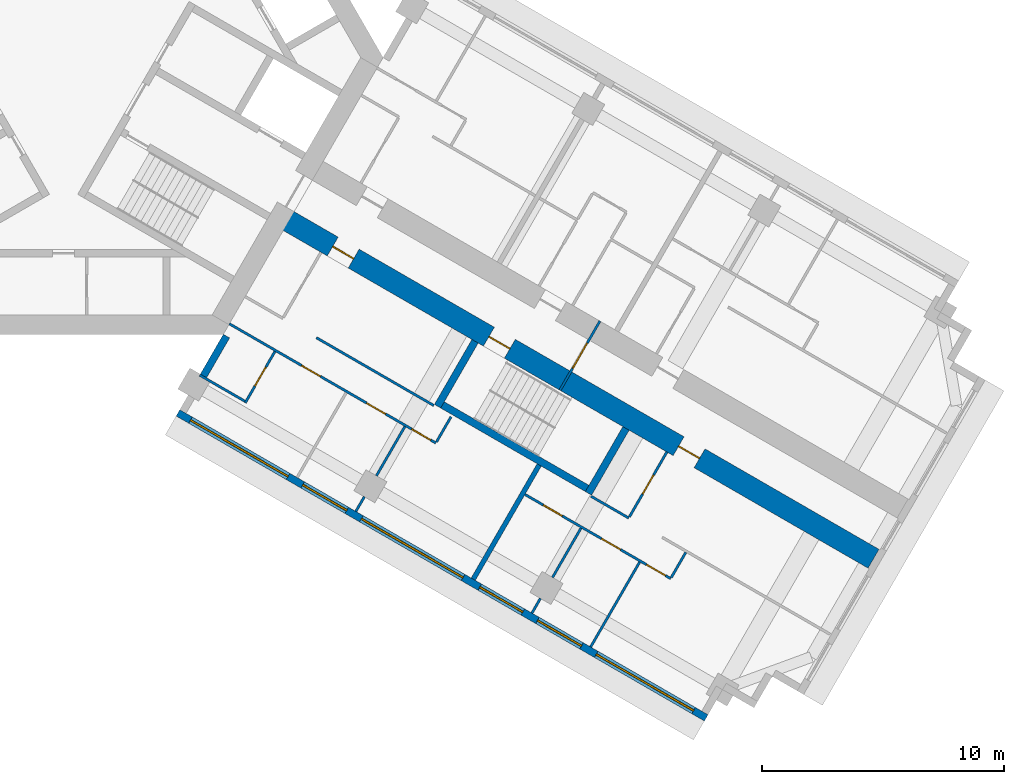
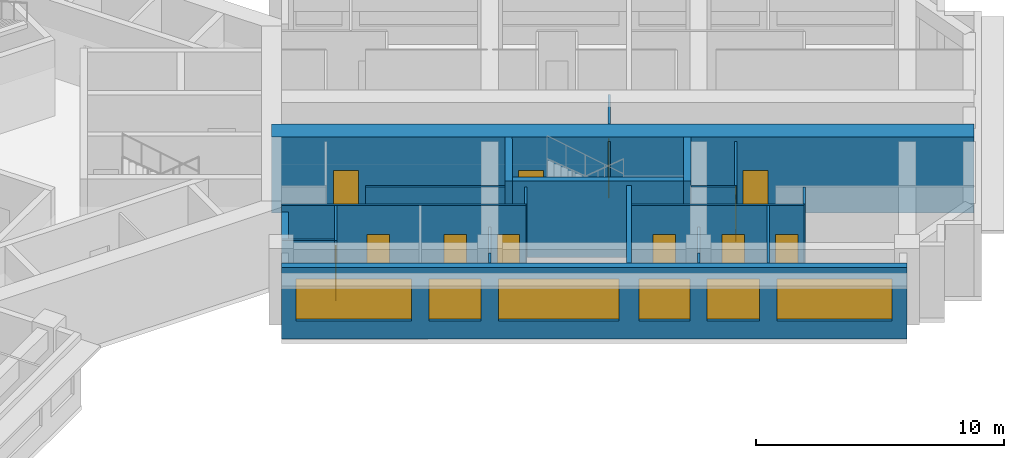
# One storey, part 5 of 12: 22 walls, 12 doors, 6 windows, 18 openings.
"""IFC4 building model written with IfcOpenShell, lengths in metres."""

from ifc_helpers import new_model, si_unit, direction, frame, frame_2d, origin, place, context, subcontext, project, spatial, rectangle, extrude, material, layer, layer_set, type_object, element, fill, save


model = new_model("IFC4")

# Units and contexts
model_context = context("Model", 3, precision=1e-05, world=origin(), true_north=direction((0.0, 1.0)))
body_context = subcontext(model_context, "Body", "Model", "MODEL_VIEW")
ifc_project = project(units=[si_unit("LENGTHUNIT", "METRE"), si_unit("AREAUNIT", "SQUARE_METRE"), si_unit("VOLUMEUNIT", "CUBIC_METRE"), si_unit("PLANEANGLEUNIT", "RADIAN"), si_unit("MASSUNIT", "GRAM", prefix="KILO")], contexts=[model_context])

# Site, building, storey
site_placement = place(None, origin())
site = spatial("IfcSite", under=ifc_project, at=site_placement, CompositionType="ELEMENT")
building_placement = place(site_placement, origin())
building = spatial("IfcBuilding", under=site, at=building_placement, Name="Impinga Residences", CompositionType="ELEMENT")
storey_placement = place(building_placement, frame((0.0, 0.0, 173.5)))
storey = spatial("IfcBuildingStorey", under=building, at=storey_placement, Name="L43", CompositionType="ELEMENT", Elevation=173.5)

# Wall, openings, doors
ifc_material_1 = material(Name="Concrete C60/75", Category="concrete")
ifc_layer_1 = layer(ifc_material_1, 0.89990234375)
ifc_layer_set_1 = layer_set([ifc_layer_1], Name="Concrete C60/75")
wall_type_1 = type_object("IfcWallType", Name="BW2 corridor buttress wall, L24 to L44 900", PredefinedType="SHEAR", material=ifc_layer_set_1)
wall_1_placement = place(storey_placement, frame((8.95361328125, -6.554931640625, 0.0), z_axis=(0.0, 0.0, 1.0), x_axis=(0.866023392092, -0.500003484338, 0.0)))
wall_1 = element("IfcWall", 1, at=wall_1_placement, inside=storey, type_object=wall_type_1, Name="Corridor wall BW2 ED L43", PredefinedType="SHEAR", context=body_context, shape_type="SweptSolid", body=[
    extrude(rectangle(XDim=28.300048828125, YDim=0.89990234375, at=frame_2d((14.14990234375, 0.0))), origin(), (0.0, 0.0, 1.0), 3.75),
])
opening_1_placement = place(wall_1_placement, frame((9.949951171875, 0.0, 0.0)))
opening_1 = element("IfcOpeningElement", 2, at=opening_1_placement, cuts=wall_1, Name="Opening D5", PredefinedType="OPENING", context=body_context, shape_type="SweptSolid", body=[
    extrude(rectangle(XDim=1.0, YDim=2.10009765625, at=frame_2d((0.5, 1.050048828125))), frame((0.0, 0.4599609375, 0.0), z_axis=(0.0, -1.0, 0.0), x_axis=(1.0, 0.0, 0.0)), (0.0, 0.0, 1.0), 0.919921875),
])
opening_2_placement = place(wall_1_placement, frame((2.5, 0.0, 0.0)))
opening_2 = element("IfcOpeningElement", 3, at=opening_2_placement, cuts=wall_1, Name="Opening D1", PredefinedType="OPENING", context=body_context, shape_type="SweptSolid", body=[
    extrude(rectangle(XDim=1.0, YDim=2.10009765625, at=frame_2d((0.5, 1.050048828125))), frame((0.0, 0.4599609375, 0.0), z_axis=(0.0, -1.0, 0.0), x_axis=(1.0, 0.0, 0.0)), (0.0, 0.0, 1.0), 0.919921875),
])
opening_3_placement = place(wall_1_placement, frame((19.0, 0.0, 0.0)))
opening_3 = element("IfcOpeningElement", 4, at=opening_3_placement, cuts=wall_1, Name="Opening D1", PredefinedType="OPENING", context=body_context, shape_type="SweptSolid", body=[
    extrude(rectangle(XDim=1.0, YDim=2.10009765625, at=frame_2d((0.5, 1.050048828125))), frame((0.0, 0.4599609375, 0.0), z_axis=(0.0, -1.0, 0.0), x_axis=(1.0, 0.0, 0.0)), (0.0, 0.0, 1.0), 0.919921875),
])
ifc_material_2 = material(Name="Timber door set", Category="wood")
door_type_1 = type_object("IfcDoorType", Name="D1 apartment entrance door 1000x2100", OperationType="SINGLE_SWING_LEFT", PredefinedType="DOOR", material=ifc_material_2)
door_1_placement = place(opening_2_placement, origin())
door_1 = element("IfcDoor", 5, at=door_1_placement, inside=storey, type_object=door_type_1, Name="Apartment L43-EF1 entrance", OperationType="SINGLE_SWING_LEFT", OverallHeight=2.10009765625, OverallWidth=1.0, PredefinedType="DOOR", context=body_context, shape_type="SweptSolid", body=[
    extrude(rectangle(XDim=1.0, YDim=2.10009765625, at=frame_2d((0.5, 1.050048828125))), frame((0.0, 0.02490234375, 0.0), z_axis=(0.0, -1.0, 0.0), x_axis=(1.0, 0.0, 0.0)), (0.0, 0.0, 1.0), 0.050048828125),
])
fill(opening_2, door_1)
door_2_placement = place(opening_3_placement, origin())
door_2 = element("IfcDoor", 6, at=door_2_placement, inside=storey, type_object=door_type_1, Name="Apartment L43-EF2 entrance", OperationType="SINGLE_SWING_RIGHT", OverallHeight=2.10009765625, OverallWidth=1.0, PredefinedType="DOOR", context=body_context, shape_type="SweptSolid", body=[
    extrude(rectangle(XDim=1.0, YDim=2.10009765625, at=frame_2d((0.5, 1.050048828125))), frame((0.0, 0.02490234375, 0.0), z_axis=(0.0, -1.0, 0.0), x_axis=(1.0, 0.0, 0.0)), (0.0, 0.0, 1.0), 0.050048828125),
])
fill(opening_3, door_2)
door_type_2 = type_object("IfcDoorType", Name="D5 stair door 1000x2100", OperationType="SINGLE_SWING_LEFT", PredefinedType="DOOR", material=ifc_material_2)
door_3_placement = place(opening_1_placement, origin())
door_3 = element("IfcDoor", 7, at=door_3_placement, inside=storey, type_object=door_type_2, Name="Wing stair door E", OperationType="SINGLE_SWING_LEFT", OverallHeight=2.10009765625, OverallWidth=1.0, PredefinedType="DOOR", context=body_context, shape_type="SweptSolid", body=[
    extrude(rectangle(XDim=1.0, YDim=2.10009765625, at=frame_2d((0.5, 1.050048828125))), frame((0.0, 0.02490234375, 0.0), z_axis=(0.0, -1.0, 0.0), x_axis=(1.0, 0.0, 0.0)), (0.0, 0.0, 1.0), 0.050048828125),
])
fill(opening_1, door_3)

# Wall, opening, door
ifc_material_3 = material(Name="Concrete blockwork", Category="masonry")
ifc_layer_2 = layer(ifc_material_3, 0.10009765625)
ifc_layer_set_2 = layer_set([ifc_layer_2], Name="CP1 core room partition, blockwork 100")
wall_type_2 = type_object("IfcWallType", Name="CP1 core room partition, blockwork 100", PredefinedType="PARTITIONING", material=ifc_layer_set_2)
wall_2_placement = place(storey_placement, frame((22.156494140625, -10.88671875, 0.0), z_axis=(0.0, 0.0, 1.0), x_axis=(-0.499974350878, -0.866040211805, 0.0)))
wall_2 = element("IfcWall", 8, at=wall_2_placement, inside=storey, type_object=wall_type_2, Name="Core room partition, blockwork L43:E:PLB", PredefinedType="PARTITIONING", context=body_context, shape_type="SweptSolid", body=[
    extrude(rectangle(XDim=3.300048828125, YDim=0.10009765625, at=frame_2d((1.64990234375, 0.0))), origin(), (0.0, 0.0, 1.0), 3.530029296875),
])
opening_4_placement = place(wall_2_placement, frame((1.050048828125, 0.0, 0.0)))
opening_4 = element("IfcOpeningElement", 9, at=opening_4_placement, cuts=wall_2, Name="Opening D3", PredefinedType="OPENING", context=body_context, shape_type="SweptSolid", body=[
    extrude(rectangle(XDim=1.199951171875, YDim=2.10009765625, at=frame_2d((0.60009765625, 1.050048828125))), frame((0.0, 0.06005859375, 0.0), z_axis=(0.0, -1.0, 0.0), x_axis=(1.0, 0.0, 0.0)), (0.0, 0.0, 1.0), 0.1201171875),
])
door_type_3 = type_object("IfcDoorType", Name="D3 room door, leaf and a half 1200x2100", OperationType="DOUBLE_SWING_LEFT", PredefinedType="DOOR", material=ifc_material_2)
door_4_placement = place(opening_4_placement, origin())
door_4 = element("IfcDoor", 10, at=door_4_placement, inside=storey, type_object=door_type_3, Name="Private lobby door E", OperationType="DOUBLE_SWING_LEFT", OverallHeight=2.10009765625, OverallWidth=1.199951171875, PredefinedType="DOOR", context=body_context, shape_type="SweptSolid", body=[
    extrude(rectangle(XDim=1.199951171875, YDim=2.10009765625, at=frame_2d((0.60009765625, 1.050048828125))), frame((0.0, 0.02490234375, 0.0), z_axis=(0.0, -1.0, 0.0), x_axis=(1.0, 0.0, 0.0)), (0.0, 0.0, 1.0), 0.050048828125),
])
fill(opening_4, door_4)

# Wall, openings, windows
ifc_material_4 = material(Name="Terracotta rainscreen on blockwork", Category="masonry")
ifc_layer_3 = layer(ifc_material_4, 0.300048828125)
ifc_layer_set_3 = layer_set([ifc_layer_3], Name="EW1 external wall, terracotta rainscreen on blockwork 300")
wall_type_3 = type_object("IfcWallType", Name="EW1 external wall, terracotta rainscreen on blockwork 300", PredefinedType="SOLIDWALL", material=ifc_layer_set_3)
wall_3_placement = place(storey_placement, frame((26.548828125, -27.279052734375, 0.0), z_axis=(0.0, 0.0, 1.0), x_axis=(-0.866026832479, 0.499997525421, 0.0)))
wall_3 = element("IfcWall", 11, at=wall_3_placement, inside=storey, type_object=wall_type_3, Name="External wall EW1 L43", PredefinedType="SOLIDWALL", context=body_context, shape_type="SweptSolid", body=[
    extrude(rectangle(XDim=25.199951171875, YDim=0.300048828125, at=frame_2d((12.60009765625, 0.0))), origin(), (0.0, 0.0, 1.0), 3.530029296875),
])
opening_5_placement = place(wall_3_placement, frame((0.60009765625, 0.0, 0.89990234375)))
opening_5 = element("IfcOpeningElement", 12, at=opening_5_placement, cuts=wall_3, Name="Opening W10", PredefinedType="OPENING", context=body_context, shape_type="SweptSolid", body=[
    extrude(rectangle(XDim=4.64990234375, YDim=2.050048828125, at=frame_2d((2.324951171875, 1.02490234375))), frame((0.0, 0.159912109375, 0.0), z_axis=(0.0, -1.0, 0.0), x_axis=(1.0, 0.0, 0.0)), (0.0, 0.0, 1.0), 0.320068359375),
])
opening_6_placement = place(wall_3_placement, frame((5.949951171875, 0.0, 0.89990234375)))
opening_6 = element("IfcOpeningElement", 13, at=opening_6_placement, cuts=wall_3, Name="Opening W9", PredefinedType="OPENING", context=body_context, shape_type="SweptSolid", body=[
    extrude(rectangle(XDim=2.10009765625, YDim=2.050048828125, at=frame_2d((1.050048828125, 1.02490234375))), frame((0.0, 0.159912109375, 0.0), z_axis=(0.0, -1.0, 0.0), x_axis=(1.0, 0.0, 0.0)), (0.0, 0.0, 1.0), 0.320068359375),
])
opening_7_placement = place(wall_3_placement, frame((8.75, 0.0, 0.89990234375)))
opening_7 = element("IfcOpeningElement", 14, at=opening_7_placement, cuts=wall_3, Name="Opening W14", PredefinedType="OPENING", context=body_context, shape_type="SweptSolid", body=[
    extrude(rectangle(XDim=2.050048828125, YDim=2.050048828125, at=frame_2d((1.02490234375, 1.02490234375))), frame((0.0, 0.159912109375, 0.0), z_axis=(0.0, -1.0, 0.0), x_axis=(1.0, 0.0, 0.0)), (0.0, 0.0, 1.0), 0.320068359375),
])
opening_8_placement = place(wall_3_placement, frame((11.60009765625, 0.0, 0.89990234375)))
opening_8 = element("IfcOpeningElement", 15, at=opening_8_placement, cuts=wall_3, Name="Opening W6", PredefinedType="OPENING", context=body_context, shape_type="SweptSolid", body=[
    extrude(rectangle(XDim=4.85009765625, YDim=2.050048828125, at=frame_2d((2.425048828125, 1.02490234375))), frame((0.0, 0.159912109375, 0.0), z_axis=(0.0, -1.0, 0.0), x_axis=(1.0, 0.0, 0.0)), (0.0, 0.0, 1.0), 0.320068359375),
])
opening_9_placement = place(wall_3_placement, frame((17.14990234375, 0.0, 0.89990234375)))
opening_9 = element("IfcOpeningElement", 16, at=opening_9_placement, cuts=wall_3, Name="Opening W9", PredefinedType="OPENING", context=body_context, shape_type="SweptSolid", body=[
    extrude(rectangle(XDim=2.10009765625, YDim=2.050048828125, at=frame_2d((1.050048828125, 1.02490234375))), frame((0.0, 0.159912109375, 0.0), z_axis=(0.0, -1.0, 0.0), x_axis=(1.0, 0.0, 0.0)), (0.0, 0.0, 1.0), 0.320068359375),
])
opening_10_placement = place(wall_3_placement, frame((19.949951171875, 0.0, 0.89990234375)))
opening_10 = element("IfcOpeningElement", 17, at=opening_10_placement, cuts=wall_3, Name="Opening W10", PredefinedType="OPENING", context=body_context, shape_type="SweptSolid", body=[
    extrude(rectangle(XDim=4.64990234375, YDim=2.050048828125, at=frame_2d((2.324951171875, 1.02490234375))), frame((0.0, 0.159912109375, 0.0), z_axis=(0.0, -1.0, 0.0), x_axis=(1.0, 0.0, 0.0)), (0.0, 0.0, 1.0), 0.320068359375),
])
ifc_material_5 = material(Name="Aluminium window, clear double glazing", Category="aluminium")
window_type_1 = type_object("IfcWindowType", Name="W10 ribbon window 4650x2050", PartitioningType="SINGLE_PANEL", PredefinedType="WINDOW", material=ifc_material_5)
window_1_placement = place(opening_5_placement, origin())
window_1 = element("IfcWindow", 18, at=window_1_placement, inside=storey, type_object=window_type_1, Name="Window L43", OverallHeight=2.050048828125, OverallWidth=4.64990234375, PartitioningType="SINGLE_PANEL", PredefinedType="WINDOW", context=body_context, shape_type="SweptSolid", body=[
    extrude(rectangle(XDim=4.64990234375, YDim=2.050048828125, at=frame_2d((2.324951171875, 1.02490234375))), frame((0.0, 0.030029296875, 0.0), z_axis=(0.0, -1.0, 0.0), x_axis=(1.0, 0.0, 0.0)), (0.0, 0.0, 1.0), 0.06005859375),
])
fill(opening_5, window_1)
window_2_placement = place(opening_10_placement, origin())
window_2 = element("IfcWindow", 19, at=window_2_placement, inside=storey, type_object=window_type_1, Name="Window L43", OverallHeight=2.050048828125, OverallWidth=4.64990234375, PartitioningType="SINGLE_PANEL", PredefinedType="WINDOW", context=body_context, shape_type="SweptSolid", body=[
    extrude(rectangle(XDim=4.64990234375, YDim=2.050048828125, at=frame_2d((2.324951171875, 1.02490234375))), frame((0.0, 0.030029296875, 0.0), z_axis=(0.0, -1.0, 0.0), x_axis=(1.0, 0.0, 0.0)), (0.0, 0.0, 1.0), 0.06005859375),
])
fill(opening_10, window_2)
window_type_2 = type_object("IfcWindowType", Name="W14 ribbon window 2050x2050", PartitioningType="SINGLE_PANEL", PredefinedType="WINDOW", material=ifc_material_5)
window_3_placement = place(opening_7_placement, origin())
window_3 = element("IfcWindow", 20, at=window_3_placement, inside=storey, type_object=window_type_2, Name="Window L43", OverallHeight=2.050048828125, OverallWidth=2.050048828125, PartitioningType="SINGLE_PANEL", PredefinedType="WINDOW", context=body_context, shape_type="SweptSolid", body=[
    extrude(rectangle(XDim=2.050048828125, YDim=2.050048828125, at=frame_2d((1.02490234375, 1.02490234375))), frame((0.0, 0.030029296875, 0.0), z_axis=(0.0, -1.0, 0.0), x_axis=(1.0, 0.0, 0.0)), (0.0, 0.0, 1.0), 0.06005859375),
])
fill(opening_7, window_3)
window_type_3 = type_object("IfcWindowType", Name="W6 ribbon window 4850x2050", PartitioningType="SINGLE_PANEL", PredefinedType="WINDOW", material=ifc_material_5)
window_4_placement = place(opening_8_placement, origin())
window_4 = element("IfcWindow", 21, at=window_4_placement, inside=storey, type_object=window_type_3, Name="Window L43", OverallHeight=2.050048828125, OverallWidth=4.85009765625, PartitioningType="SINGLE_PANEL", PredefinedType="WINDOW", context=body_context, shape_type="SweptSolid", body=[
    extrude(rectangle(XDim=4.85009765625, YDim=2.050048828125, at=frame_2d((2.425048828125, 1.02490234375))), frame((0.0, 0.030029296875, 0.0), z_axis=(0.0, -1.0, 0.0), x_axis=(1.0, 0.0, 0.0)), (0.0, 0.0, 1.0), 0.06005859375),
])
fill(opening_8, window_4)
window_type_4 = type_object("IfcWindowType", Name="W9 ribbon window 2100x2050", PartitioningType="SINGLE_PANEL", PredefinedType="WINDOW", material=ifc_material_5)
window_5_placement = place(opening_6_placement, origin())
window_5 = element("IfcWindow", 22, at=window_5_placement, inside=storey, type_object=window_type_4, Name="Window L43", OverallHeight=2.050048828125, OverallWidth=2.10009765625, PartitioningType="SINGLE_PANEL", PredefinedType="WINDOW", context=body_context, shape_type="SweptSolid", body=[
    extrude(rectangle(XDim=2.10009765625, YDim=2.050048828125, at=frame_2d((1.050048828125, 1.02490234375))), frame((0.0, 0.030029296875, 0.0), z_axis=(0.0, -1.0, 0.0), x_axis=(1.0, 0.0, 0.0)), (0.0, 0.0, 1.0), 0.06005859375),
])
fill(opening_6, window_5)
window_6_placement = place(opening_9_placement, origin())
window_6 = element("IfcWindow", 23, at=window_6_placement, inside=storey, type_object=window_type_4, Name="Window L43", OverallHeight=2.050048828125, OverallWidth=2.10009765625, PartitioningType="SINGLE_PANEL", PredefinedType="WINDOW", context=body_context, shape_type="SweptSolid", body=[
    extrude(rectangle(XDim=2.10009765625, YDim=2.050048828125, at=frame_2d((1.050048828125, 1.02490234375))), frame((0.0, 0.030029296875, 0.0), z_axis=(0.0, -1.0, 0.0), x_axis=(1.0, 0.0, 0.0)), (0.0, 0.0, 1.0), 0.06005859375),
])
fill(opening_9, window_6)

# Walls
wall_4_placement = place(storey_placement, frame((5.77978515625, -13.152099609375, 0.0), z_axis=(0.0, 0.0, 1.0), x_axis=(0.500063520245, 0.865988727248, 0.0)))
element("IfcWall", 24, at=wall_4_placement, inside=storey, type_object=wall_type_3, Name="External wall EW1 L43", PredefinedType="SOLIDWALL", context=body_context, shape_type="SweptSolid", body=[
    extrude(rectangle(XDim=1.900146484375, YDim=0.300048828125, at=frame_2d((0.9501953125, 0.0))), origin(), (0.0, 0.0, 1.0), 3.530029296875),
])
ifc_material_6 = material(Name="Gypsum board on steel studs", Category="steel")
ifc_layer_4 = layer(ifc_material_6, 0.10009765625)
ifc_layer_set_4 = layer_set([ifc_layer_4], Name="Gypsum board on steel studs")
wall_type_4 = type_object("IfcWallType", Name="IP1 partition 100", PredefinedType="PARTITIONING", material=ifc_layer_set_4)
wall_5_placement = place(storey_placement, frame((10.444580078125, -11.57275390625, 0.0), z_axis=(0.0, 0.0, 1.0), x_axis=(0.866015695474, -0.500016814911, 0.0)))
element("IfcWall", 25, at=wall_5_placement, inside=storey, type_object=wall_type_4, Name="Partition L43-EF1:DIV1", PredefinedType="PARTITIONING", context=body_context, shape_type="SweptSolid", body=[
    extrude(rectangle(XDim=5.599853515625, YDim=0.10009765625, at=frame_2d((2.7998046875, 0.0))), origin(), (0.0, 0.0, 1.0), 3.530029296875),
])

# Wall, openings, doors
wall_6_placement = place(storey_placement, frame((6.85009765625, -10.99853515625, 0.0), z_axis=(0.0, 0.0, 1.0), x_axis=(0.866021308241, -0.500007093622, 0.0)))
wall_6 = element("IfcWall", 26, at=wall_6_placement, inside=storey, type_object=wall_type_4, Name="Partition L43-EF1:STRIP", PredefinedType="PARTITIONING", context=body_context, shape_type="SweptSolid", body=[
    extrude(rectangle(XDim=9.849853515625, YDim=0.10009765625, at=frame_2d((4.9248046875, 0.0))), origin(), (0.0, 0.0, 1.0), 3.530029296875),
])
opening_11_placement = place(wall_6_placement, frame((3.449951171875, 0.0, 0.0)))
opening_11 = element("IfcOpeningElement", 27, at=opening_11_placement, cuts=wall_6, Name="Opening D2", PredefinedType="OPENING", context=body_context, shape_type="SweptSolid", body=[
    extrude(rectangle(XDim=0.89990234375, YDim=2.10009765625, at=frame_2d((0.449951171875, 1.050048828125))), frame((0.0, 0.06005859375, 0.0), z_axis=(0.0, -1.0, 0.0), x_axis=(1.0, 0.0, 0.0)), (0.0, 0.0, 1.0), 0.1201171875),
])
opening_12_placement = place(wall_6_placement, frame((6.550048828125, 0.0, 0.0)))
opening_12 = element("IfcOpeningElement", 28, at=opening_12_placement, cuts=wall_6, Name="Opening D2", PredefinedType="OPENING", context=body_context, shape_type="SweptSolid", body=[
    extrude(rectangle(XDim=0.89990234375, YDim=2.10009765625, at=frame_2d((0.449951171875, 1.050048828125))), frame((0.0, 0.06005859375, 0.0), z_axis=(0.0, -1.0, 0.0), x_axis=(1.0, 0.0, 0.0)), (0.0, 0.0, 1.0), 0.1201171875),
])
opening_13_placement = place(wall_6_placement, frame((8.699951171875, 0.0, 0.0)))
opening_13 = element("IfcOpeningElement", 29, at=opening_13_placement, cuts=wall_6, Name="Opening D2", PredefinedType="OPENING", context=body_context, shape_type="SweptSolid", body=[
    extrude(rectangle(XDim=0.89990234375, YDim=2.10009765625, at=frame_2d((0.449951171875, 1.050048828125))), frame((0.0, 0.06005859375, 0.0), z_axis=(0.0, -1.0, 0.0), x_axis=(1.0, 0.0, 0.0)), (0.0, 0.0, 1.0), 0.1201171875),
])
door_type_4 = type_object("IfcDoorType", Name="D2 internal door 900x2100", OperationType="SINGLE_SWING_LEFT", PredefinedType="DOOR", material=ifc_material_2)
door_5_placement = place(opening_11_placement, origin())
door_5 = element("IfcDoor", 30, at=door_5_placement, inside=storey, type_object=door_type_4, Name="Apartment L43-EF1 room door", OperationType="SINGLE_SWING_LEFT", OverallHeight=2.10009765625, OverallWidth=0.89990234375, PredefinedType="DOOR", context=body_context, shape_type="SweptSolid", body=[
    extrude(rectangle(XDim=0.89990234375, YDim=2.10009765625, at=frame_2d((0.449951171875, 1.050048828125))), frame((0.0, 0.02490234375, 0.0), z_axis=(0.0, -1.0, 0.0), x_axis=(1.0, 0.0, 0.0)), (0.0, 0.0, 1.0), 0.050048828125),
])
fill(opening_11, door_5)
door_6_placement = place(opening_12_placement, origin())
door_6 = element("IfcDoor", 31, at=door_6_placement, inside=storey, type_object=door_type_4, Name="Apartment L43-EF1 room door", OperationType="SINGLE_SWING_RIGHT", OverallHeight=2.10009765625, OverallWidth=0.89990234375, PredefinedType="DOOR", context=body_context, shape_type="SweptSolid", body=[
    extrude(rectangle(XDim=0.89990234375, YDim=2.10009765625, at=frame_2d((0.449951171875, 1.050048828125))), frame((0.0, 0.02490234375, 0.0), z_axis=(0.0, -1.0, 0.0), x_axis=(1.0, 0.0, 0.0)), (0.0, 0.0, 1.0), 0.050048828125),
])
fill(opening_12, door_6)
door_7_placement = place(opening_13_placement, origin())
door_7 = element("IfcDoor", 32, at=door_7_placement, inside=storey, type_object=door_type_4, Name="Apartment L43-EF1 room door", OperationType="SINGLE_SWING_RIGHT", OverallHeight=2.10009765625, OverallWidth=0.89990234375, PredefinedType="DOOR", context=body_context, shape_type="SweptSolid", body=[
    extrude(rectangle(XDim=0.89990234375, YDim=2.10009765625, at=frame_2d((0.449951171875, 1.050048828125))), frame((0.0, 0.02490234375, 0.0), z_axis=(0.0, -1.0, 0.0), x_axis=(1.0, 0.0, 0.0)), (0.0, 0.0, 1.0), 0.050048828125),
])
fill(opening_13, door_7)

# Walls
wall_7_placement = place(storey_placement, frame((16.00537109375, -14.841064453125, 0.0), z_axis=(0.0, 0.0, 1.0), x_axis=(-0.50012165622, -0.865955154139, 0.0)))
element("IfcWall", 33, at=wall_7_placement, inside=storey, type_object=wall_type_4, Name="Partition L43-EF1:SE1", PredefinedType="PARTITIONING", context=body_context, shape_type="SweptSolid", body=[
    extrude(rectangle(XDim=1.199951171875, YDim=0.10009765625, at=frame_2d((0.60009765625, 0.0))), origin(), (0.0, 0.0, 1.0), 3.530029296875),
])
wall_8_placement = place(storey_placement, frame((14.099609375, -15.241943359375, 0.0), z_axis=(0.0, 0.0, 1.0), x_axis=(-0.500016218704, -0.866016039709, 0.0)))
element("IfcWall", 34, at=wall_8_placement, inside=storey, type_object=wall_type_4, Name="Partition L43-EF1:OB2", PredefinedType="PARTITIONING", context=body_context, shape_type="SweptSolid", body=[
    extrude(rectangle(XDim=2.35009765625, YDim=0.10009765625, at=frame_2d((1.175048828125, 0.0))), origin(), (0.0, 0.0, 1.0), 2.47998046875),
])
wall_9_placement = place(storey_placement, frame((12.424560546875, -18.14306640625, 0.0), z_axis=(0.0, 0.0, 1.0), x_axis=(-0.499853302173, -0.866110083249, 0.0)))
element("IfcWall", 35, at=wall_9_placement, inside=storey, type_object=wall_type_4, Name="Partition L43-EF1:OB2b", PredefinedType="PARTITIONING", context=body_context, shape_type="SweptSolid", body=[
    extrude(rectangle(XDim=0.699951171875, YDim=0.10009765625, at=frame_2d((0.35009765625, 0.0))), origin(), (0.0, 0.0, 1.0), 3.530029296875),
])

# Wall, opening, door
wall_10_placement = place(storey_placement, frame((8.730224609375, -12.141845703125, 0.0), z_axis=(0.0, 0.0, 1.0), x_axis=(-0.499943856944, -0.866057815567, 0.0)))
wall_10 = element("IfcWall", 36, at=wall_10_placement, inside=storey, type_object=wall_type_4, Name="Partition L43-EF1:EN1", PredefinedType="PARTITIONING", context=body_context, shape_type="SweptSolid", body=[
    extrude(rectangle(XDim=2.449951171875, YDim=0.10009765625, at=frame_2d((1.22509765625, 0.0))), origin(), (0.0, 0.0, 1.0), 3.530029296875),
])
opening_14_placement = place(wall_10_placement, frame((0.75, 0.0, 0.0)))
opening_14 = element("IfcOpeningElement", 37, at=opening_14_placement, cuts=wall_10, Name="Opening D2", PredefinedType="OPENING", context=body_context, shape_type="SweptSolid", body=[
    extrude(rectangle(XDim=0.89990234375, YDim=2.10009765625, at=frame_2d((0.449951171875, 1.050048828125))), frame((0.0, 0.06005859375, 0.0), z_axis=(0.0, -1.0, 0.0), x_axis=(1.0, 0.0, 0.0)), (0.0, 0.0, 1.0), 0.1201171875),
])
door_8_placement = place(opening_14_placement, origin())
door_8 = element("IfcDoor", 38, at=door_8_placement, inside=storey, type_object=door_type_4, Name="Apartment L43-EF1 en-suite door", OperationType="SINGLE_SWING_LEFT", OverallHeight=2.10009765625, OverallWidth=0.89990234375, PredefinedType="DOOR", context=body_context, shape_type="SweptSolid", body=[
    extrude(rectangle(XDim=0.89990234375, YDim=2.10009765625, at=frame_2d((0.449951171875, 1.050048828125))), frame((0.0, 0.02490234375, 0.0), z_axis=(0.0, -1.0, 0.0), x_axis=(1.0, 0.0, 0.0)), (0.0, 0.0, 1.0), 0.050048828125),
])
fill(opening_14, door_8)

# Walls
wall_11_placement = place(storey_placement, frame((5.625, -13.120361328125, 0.0), z_axis=(0.0, 0.0, 1.0), x_axis=(0.866047553582, -0.499961633463, 0.0)))
element("IfcWall", 39, at=wall_11_placement, inside=storey, type_object=wall_type_4, Name="Partition L43-EF1:EN2", PredefinedType="PARTITIONING", context=body_context, shape_type="SweptSolid", body=[
    extrude(rectangle(XDim=2.150146484375, YDim=0.10009765625, at=frame_2d((1.0751953125, 0.0))), origin(), (0.0, 0.0, 1.0), 3.530029296875),
])
wall_12_placement = place(storey_placement, frame((21.789306640625, -18.122802734375, 0.0), z_axis=(0.0, 0.0, 1.0), x_axis=(0.866047807691, -0.499961193289, 0.0)))
element("IfcWall", 40, at=wall_12_placement, inside=storey, type_object=wall_type_4, Name="Partition L43-EF2:DIV0", PredefinedType="PARTITIONING", context=body_context, shape_type="SweptSolid", body=[
    extrude(rectangle(XDim=1.800048828125, YDim=0.10009765625, at=frame_2d((0.89990234375, 0.0))), origin(), (0.0, 0.0, 1.0), 3.530029296875),
])

# Wall, openings, doors
wall_13_placement = place(storey_placement, frame((19.06103515625, -18.048583984375, 0.0), z_axis=(0.0, 0.0, 1.0), x_axis=(0.866031734426, -0.499989034847, 0.0)))
wall_13 = element("IfcWall", 41, at=wall_13_placement, inside=storey, type_object=wall_type_4, Name="Partition L43-EF2:STRIP", PredefinedType="PARTITIONING", context=body_context, shape_type="SweptSolid", body=[
    extrude(rectangle(XDim=6.949951171875, YDim=0.10009765625, at=frame_2d((3.47509765625, 0.0))), origin(), (0.0, 0.0, 1.0), 3.530029296875),
])
opening_15_placement = place(wall_13_placement, frame((0.875, 0.0, 0.0)))
opening_15 = element("IfcOpeningElement", 42, at=opening_15_placement, cuts=wall_13, Name="Opening D2", PredefinedType="OPENING", context=body_context, shape_type="SweptSolid", body=[
    extrude(rectangle(XDim=0.89990234375, YDim=2.10009765625, at=frame_2d((0.449951171875, 1.050048828125))), frame((0.0, 0.06005859375, 0.0), z_axis=(0.0, -1.0, 0.0), x_axis=(1.0, 0.0, 0.0)), (0.0, 0.0, 1.0), 0.1201171875),
])
opening_16_placement = place(wall_13_placement, frame((3.64990234375, 0.0, 0.0)))
opening_16 = element("IfcOpeningElement", 43, at=opening_16_placement, cuts=wall_13, Name="Opening D2", PredefinedType="OPENING", context=body_context, shape_type="SweptSolid", body=[
    extrude(rectangle(XDim=0.89990234375, YDim=2.10009765625, at=frame_2d((0.449951171875, 1.050048828125))), frame((0.0, 0.06005859375, 0.0), z_axis=(0.0, -1.0, 0.0), x_axis=(1.0, 0.0, 0.0)), (0.0, 0.0, 1.0), 0.1201171875),
])
opening_17_placement = place(wall_13_placement, frame((5.800048828125, 0.0, 0.0)))
opening_17 = element("IfcOpeningElement", 44, at=opening_17_placement, cuts=wall_13, Name="Opening D2", PredefinedType="OPENING", context=body_context, shape_type="SweptSolid", body=[
    extrude(rectangle(XDim=0.89990234375, YDim=2.10009765625, at=frame_2d((0.449951171875, 1.050048828125))), frame((0.0, 0.06005859375, 0.0), z_axis=(0.0, -1.0, 0.0), x_axis=(1.0, 0.0, 0.0)), (0.0, 0.0, 1.0), 0.1201171875),
])
door_9_placement = place(opening_15_placement, origin())
door_9 = element("IfcDoor", 45, at=door_9_placement, inside=storey, type_object=door_type_4, Name="Apartment L43-EF2 room door", OperationType="SINGLE_SWING_LEFT", OverallHeight=2.10009765625, OverallWidth=0.89990234375, PredefinedType="DOOR", context=body_context, shape_type="SweptSolid", body=[
    extrude(rectangle(XDim=0.89990234375, YDim=2.10009765625, at=frame_2d((0.449951171875, 1.050048828125))), frame((0.0, 0.02490234375, 0.0), z_axis=(0.0, -1.0, 0.0), x_axis=(1.0, 0.0, 0.0)), (0.0, 0.0, 1.0), 0.050048828125),
])
fill(opening_15, door_9)
door_10_placement = place(opening_16_placement, origin())
door_10 = element("IfcDoor", 46, at=door_10_placement, inside=storey, type_object=door_type_4, Name="Apartment L43-EF2 room door", OperationType="SINGLE_SWING_RIGHT", OverallHeight=2.10009765625, OverallWidth=0.89990234375, PredefinedType="DOOR", context=body_context, shape_type="SweptSolid", body=[
    extrude(rectangle(XDim=0.89990234375, YDim=2.10009765625, at=frame_2d((0.449951171875, 1.050048828125))), frame((0.0, 0.02490234375, 0.0), z_axis=(0.0, -1.0, 0.0), x_axis=(1.0, 0.0, 0.0)), (0.0, 0.0, 1.0), 0.050048828125),
])
fill(opening_16, door_10)
door_11_placement = place(opening_17_placement, origin())
door_11 = element("IfcDoor", 47, at=door_11_placement, inside=storey, type_object=door_type_4, Name="Apartment L43-EF2 room door", OperationType="SINGLE_SWING_RIGHT", OverallHeight=2.10009765625, OverallWidth=0.89990234375, PredefinedType="DOOR", context=body_context, shape_type="SweptSolid", body=[
    extrude(rectangle(XDim=0.89990234375, YDim=2.10009765625, at=frame_2d((0.449951171875, 1.050048828125))), frame((0.0, 0.02490234375, 0.0), z_axis=(0.0, -1.0, 0.0), x_axis=(1.0, 0.0, 0.0)), (0.0, 0.0, 1.0), 0.050048828125),
])
fill(opening_17, door_11)

# Wall
wall_14_placement = place(storey_placement, frame((25.704833984375, -20.44091796875, 0.0), z_axis=(0.0, 0.0, 1.0), x_axis=(-0.500033551112, -0.866006032174, 0.0)))
element("IfcWall", 48, at=wall_14_placement, inside=storey, type_object=wall_type_4, Name="Partition L43-EF2:SE1", PredefinedType="PARTITIONING", context=body_context, shape_type="SweptSolid", body=[
    extrude(rectangle(XDim=1.2001953125, YDim=0.10009765625, at=frame_2d((0.60009765625, 0.0))), origin(), (0.0, 0.0, 1.0), 3.530029296875),
])

# Wall, opening, door
wall_15_placement = place(storey_placement, frame((24.92333984375, -16.294677734375, 0.0), z_axis=(0.0, 0.0, 1.0), x_axis=(-0.49999285859, -0.86602952684, 0.0)))
wall_15 = element("IfcWall", 49, at=wall_15_placement, inside=storey, type_object=wall_type_4, Name="Partition L43-EF2:IB1", PredefinedType="PARTITIONING", context=body_context, shape_type="SweptSolid", body=[
    extrude(rectangle(XDim=3.10009765625, YDim=0.10009765625, at=frame_2d((1.550048828125, 0.0))), origin(), (0.0, 0.0, 1.0), 3.530029296875),
])
opening_18_placement = place(wall_15_placement, frame((1.10009765625, 0.0, 0.0)))
opening_18 = element("IfcOpeningElement", 50, at=opening_18_placement, cuts=wall_15, Name="Opening D2", PredefinedType="OPENING", context=body_context, shape_type="SweptSolid", body=[
    extrude(rectangle(XDim=0.89990234375, YDim=2.10009765625, at=frame_2d((0.449951171875, 1.050048828125))), frame((0.0, 0.06005859375, 0.0), z_axis=(0.0, -1.0, 0.0), x_axis=(1.0, 0.0, 0.0)), (0.0, 0.0, 1.0), 0.1201171875),
])
door_12_placement = place(opening_18_placement, origin())
door_12 = element("IfcDoor", 51, at=door_12_placement, inside=storey, type_object=door_type_4, Name="Apartment L43-EF2 bathroom door", OperationType="SINGLE_SWING_LEFT", OverallHeight=2.10009765625, OverallWidth=0.89990234375, PredefinedType="DOOR", context=body_context, shape_type="SweptSolid", body=[
    extrude(rectangle(XDim=0.89990234375, YDim=2.10009765625, at=frame_2d((0.449951171875, 1.050048828125))), frame((0.0, 0.02490234375, 0.0), z_axis=(0.0, -1.0, 0.0), x_axis=(1.0, 0.0, 0.0)), (0.0, 0.0, 1.0), 0.050048828125),
])
fill(opening_18, door_12)

# Walls
wall_16_placement = place(storey_placement, frame((21.374267578125, -19.44189453125, 0.0), z_axis=(0.0, 0.0, 1.0), x_axis=(-0.500016218704, -0.866016039709, 0.0)))
element("IfcWall", 52, at=wall_16_placement, inside=storey, type_object=wall_type_4, Name="Partition L43-EF2:OB1", PredefinedType="PARTITIONING", context=body_context, shape_type="SweptSolid", body=[
    extrude(rectangle(XDim=2.35009765625, YDim=0.10009765625, at=frame_2d((1.175048828125, 0.0))), origin(), (0.0, 0.0, 1.0), 2.47998046875),
])
wall_17_placement = place(storey_placement, frame((19.69921875, -22.343017578125, 0.0), z_axis=(0.0, 0.0, 1.0), x_axis=(-0.500114896893, -0.865959057869, 0.0)))
element("IfcWall", 53, at=wall_17_placement, inside=storey, type_object=wall_type_4, Name="Partition L43-EF2:OB1b", PredefinedType="PARTITIONING", context=body_context, shape_type="SweptSolid", body=[
    extrude(rectangle(XDim=0.699951171875, YDim=0.10009765625, at=frame_2d((0.35009765625, 0.0))), origin(), (0.0, 0.0, 1.0), 3.530029296875),
])
wall_18_placement = place(storey_placement, frame((23.799072265625, -20.841796875, 0.0), z_axis=(0.0, 0.0, 1.0), x_axis=(-0.499990325971, -0.866030989016, 0.0)))
element("IfcWall", 54, at=wall_18_placement, inside=storey, type_object=wall_type_4, Name="Partition L43-EF2:OB2", PredefinedType="PARTITIONING", context=body_context, shape_type="SweptSolid", body=[
    extrude(rectangle(XDim=4.0498046875, YDim=0.10009765625, at=frame_2d((2.02490234375, 0.0))), origin(), (0.0, 0.0, 1.0), 3.530029296875),
])
ifc_layer_5 = layer(ifc_material_3, 0.199951171875)
ifc_layer_set_5 = layer_set([ifc_layer_5], Name="PW1 party wall between apartments 200")
wall_type_5 = type_object("IfcWallType", Name="PW1 party wall between apartments 200", PredefinedType="SOLIDWALL", material=ifc_layer_set_5)
wall_19_placement = place(storey_placement, frame((19.6494140625, -16.829345703125, 0.0), z_axis=(0.0, 0.0, 1.0), x_axis=(-0.500002931134, -0.866023711487, 0.0)))
element("IfcWall", 55, at=wall_19_placement, inside=storey, type_object=wall_type_5, Name="Party wall between apartments L43-EF1:PARTY", PredefinedType="SOLIDWALL", context=body_context, shape_type="SweptSolid", body=[
    extrude(rectangle(XDim=5.4501953125, YDim=0.199951171875, at=frame_2d((2.72509765625, 0.0))), origin(), (0.0, 0.0, 1.0), 3.530029296875),
])
ifc_layer_6 = layer(ifc_material_1, 0.300048828125)
ifc_layer_set_6 = layer_set([ifc_layer_6], Name="Concrete C60/75")
wall_type_6 = type_object("IfcWallType", Name="SE1 wing stair enclosure wall 300", PredefinedType="SOLIDWALL", material=ifc_layer_set_6)
for number, where, z_axis, x_axis, name in (
    (56, (16.9990234375, -11.7197265625, 0.0), (0.0, 0.0, 1.0), (-0.499967891604, -0.866043940782, 0.0), "Stair enclosure wall SE1 E END0 L43"),
    (57, (23.234619140625, -15.31982421875, 0.0), (0.0, 0.0, 1.0), (-0.500026960575, -0.86600983753, 0.0), "Stair enclosure wall SE1 E END1 L43"),
):
    element("IfcWall", number, at=place(storey_placement, frame(where, z_axis=z_axis, x_axis=x_axis)), inside=storey, type_object=wall_type_6, Name=name, PredefinedType="SOLIDWALL", context=body_context, shape_type="SweptSolid", body=[
        extrude(rectangle(XDim=3.099853515625, YDim=0.300048828125, at=frame_2d((1.5498046875, 0.0))), origin(), (0.0, 0.0, 1.0), 3.75),
    ])
wall_20_placement = place(storey_placement, frame((15.654052734375, -14.349365234375, 0.0), z_axis=(0.0, 0.0, 1.0), x_axis=(0.866013532718, -0.500020560727, 0.0)))
element("IfcWall", 58, at=wall_20_placement, inside=storey, type_object=wall_type_6, Name="Stair enclosure wall SE1 E OUT L43", PredefinedType="SOLIDWALL", context=body_context, shape_type="SweptSolid", body=[
    extrude(rectangle(XDim=6.900146484375, YDim=0.300048828125, at=frame_2d((3.4501953125, 0.0))), origin(), (0.0, 0.0, 1.0), 3.75),
])

save(model, "model.ifc")
